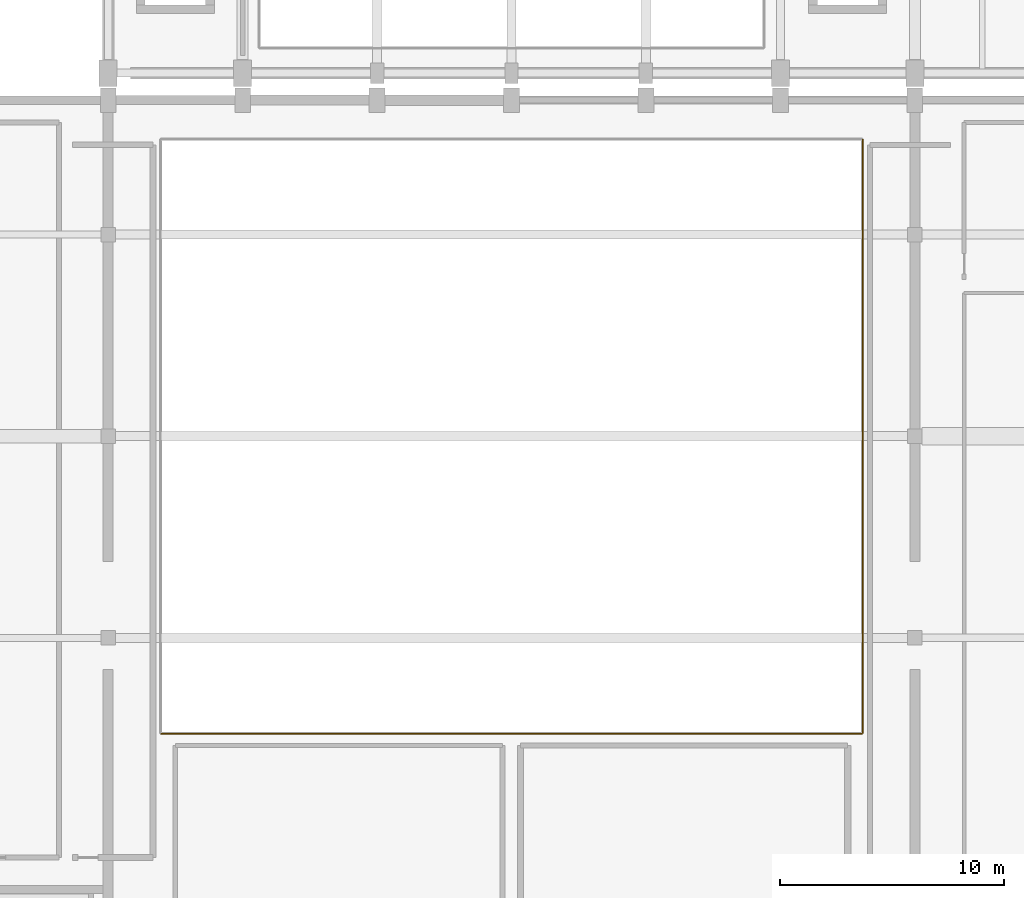
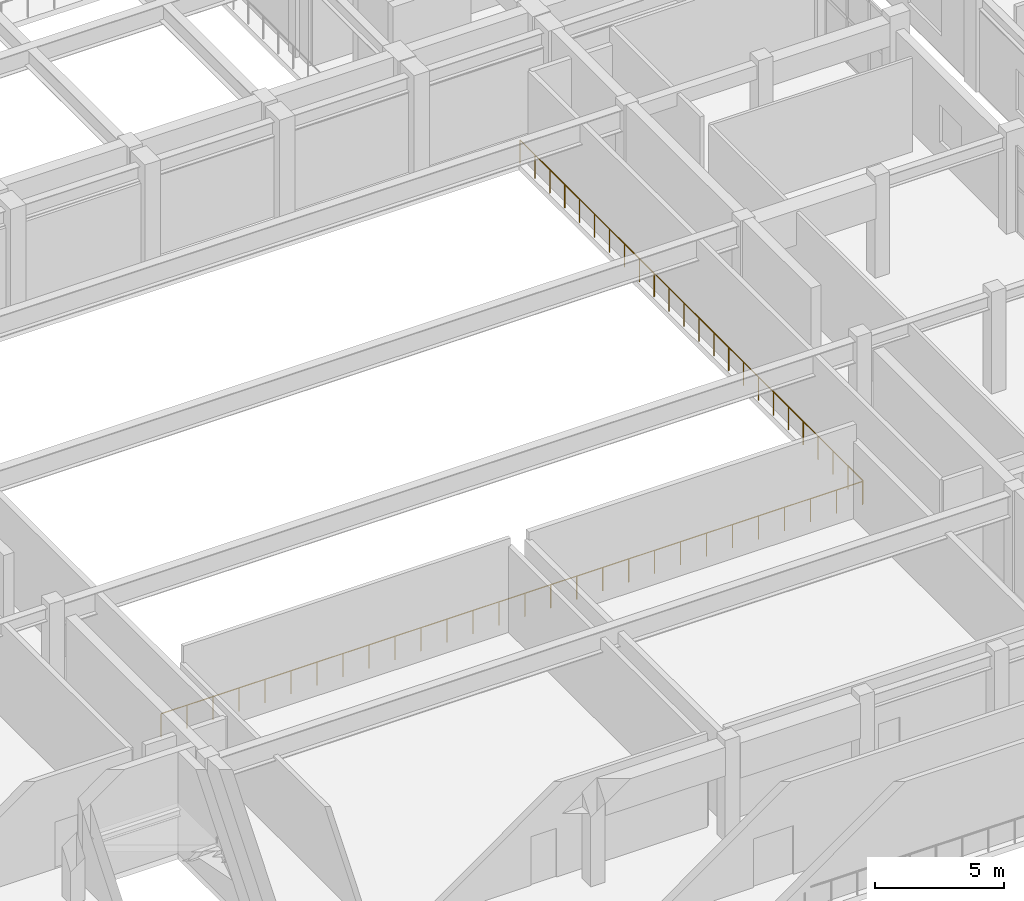
# One storey, part 56 of 62: 2 railings.
"""IFC4 building model written with IfcOpenShell, lengths in metres."""

from ifc_helpers import new_model, si_unit, direction, frame, origin, origin_2d, place, context, subcontext, project, spatial, circle, extrude, material, type_object, element, save


model = new_model("IFC4")

# Units and contexts
model_context = context("Model", 3, precision=1e-05, world=origin(), true_north=direction((0.0, 1.0)))
body_context = subcontext(model_context, "Body", "Model", "MODEL_VIEW")
ifc_project = project(units=[si_unit("LENGTHUNIT", "METRE"), si_unit("AREAUNIT", "SQUARE_METRE"), si_unit("VOLUMEUNIT", "CUBIC_METRE"), si_unit("PLANEANGLEUNIT", "RADIAN"), si_unit("MASSUNIT", "GRAM", prefix="KILO")], contexts=[model_context])

# Site, building, storey
site_placement = place(None, origin())
site = spatial("IfcSite", under=ifc_project, at=site_placement, CompositionType="ELEMENT")
building_placement = place(site_placement, origin())
building = spatial("IfcBuilding", under=site, at=building_placement, Name="Vaelkrest Opera House", CompositionType="ELEMENT")
storey_placement = place(building_placement, frame((0.0, 0.0, 19.800048828125)))
storey = spatial("IfcBuildingStorey", under=building, at=storey_placement, Name="L04", CompositionType="ELEMENT", Elevation=19.800048828125)

# Railings
ifc_material = material(Name="Dark bronze anodized aluminium", Category="aluminium")
railing_type = type_object("IfcRailingType", Name="BL01", PredefinedType="BALUSTRADE", material=ifc_material)
railing_1_placement = place(storey_placement, frame((-15.639892578125, -12.080078125, 0.0)))
element("IfcRailing", 1, at=railing_1_placement, inside=storey, type_object=railing_type, Name="Atrium/stage void guard V1 L04-1 seg 1", PredefinedType="BALUSTRADE", context=body_context, shape_type="SweptSolid", body=[
    extrude(circle(Radius=0.02392578125, at=origin_2d()), frame((0.0, 0.0, 1.09619140625), z_axis=(1.0, 0.0, 0.0), x_axis=(0.0, 1.0, 0.0)), (0.0, 0.0, 1.0), 31.27978515625),
    extrude(circle(Radius=0.02099609375, at=origin_2d()), origin(), (0.0, 0.0, 1.0), 1.072021484375),
    extrude(circle(Radius=0.02099609375, at=origin_2d()), frame((1.158447265625, 0.0, 0.0)), (0.0, 0.0, 1.0), 1.072021484375),
    extrude(circle(Radius=0.02099609375, at=origin_2d()), frame((2.317138671875, 0.0, 0.0)), (0.0, 0.0, 1.0), 1.072021484375),
    extrude(circle(Radius=0.02099609375, at=origin_2d()), frame((3.4755859375, 0.0, 0.0)), (0.0, 0.0, 1.0), 1.072021484375),
    extrude(circle(Radius=0.02099609375, at=origin_2d()), frame((4.634033203125, 0.0, 0.0)), (0.0, 0.0, 1.0), 1.072021484375),
    extrude(circle(Radius=0.02099609375, at=origin_2d()), frame((5.79248046875, 0.0, 0.0)), (0.0, 0.0, 1.0), 1.072021484375),
    extrude(circle(Radius=0.02099609375, at=origin_2d()), frame((6.951171875, 0.0, 0.0)), (0.0, 0.0, 1.0), 1.072021484375),
    extrude(circle(Radius=0.02099609375, at=origin_2d()), frame((8.109619140625, 0.0, 0.0)), (0.0, 0.0, 1.0), 1.072021484375),
    extrude(circle(Radius=0.02099609375, at=origin_2d()), frame((9.26806640625, 0.0, 0.0)), (0.0, 0.0, 1.0), 1.072021484375),
    extrude(circle(Radius=0.02099609375, at=origin_2d()), frame((10.426513671875, 0.0, 0.0)), (0.0, 0.0, 1.0), 1.072021484375),
    extrude(circle(Radius=0.02099609375, at=origin_2d()), frame((11.585205078125, 0.0, 0.0)), (0.0, 0.0, 1.0), 1.072021484375),
    extrude(circle(Radius=0.02099609375, at=origin_2d()), frame((12.74365234375, 0.0, 0.0)), (0.0, 0.0, 1.0), 1.072021484375),
    extrude(circle(Radius=0.02099609375, at=origin_2d()), frame((13.902099609375, 0.0, 0.0)), (0.0, 0.0, 1.0), 1.072021484375),
    extrude(circle(Radius=0.02099609375, at=origin_2d()), frame((15.060546875, 0.0, 0.0)), (0.0, 0.0, 1.0), 1.072021484375),
    extrude(circle(Radius=0.02099609375, at=origin_2d()), frame((16.21923828125, 0.0, 0.0)), (0.0, 0.0, 1.0), 1.072021484375),
    extrude(circle(Radius=0.02099609375, at=origin_2d()), frame((17.377685546875, 0.0, 0.0)), (0.0, 0.0, 1.0), 1.072021484375),
    extrude(circle(Radius=0.02099609375, at=origin_2d()), frame((18.5361328125, 0.0, 0.0)), (0.0, 0.0, 1.0), 1.072021484375),
    extrude(circle(Radius=0.02099609375, at=origin_2d()), frame((19.694580078125, 0.0, 0.0)), (0.0, 0.0, 1.0), 1.072021484375),
    extrude(circle(Radius=0.02099609375, at=origin_2d()), frame((20.853271484375, 0.0, 0.0)), (0.0, 0.0, 1.0), 1.072021484375),
    extrude(circle(Radius=0.02099609375, at=origin_2d()), frame((22.01171875, 0.0, 0.0)), (0.0, 0.0, 1.0), 1.072021484375),
    extrude(circle(Radius=0.02099609375, at=origin_2d()), frame((23.170166015625, 0.0, 0.0)), (0.0, 0.0, 1.0), 1.072021484375),
    extrude(circle(Radius=0.02099609375, at=origin_2d()), frame((24.32861328125, 0.0, 0.0)), (0.0, 0.0, 1.0), 1.072021484375),
    extrude(circle(Radius=0.02099609375, at=origin_2d()), frame((25.4873046875, 0.0, 0.0)), (0.0, 0.0, 1.0), 1.072021484375),
    extrude(circle(Radius=0.02099609375, at=origin_2d()), frame((26.645751953125, 0.0, 0.0)), (0.0, 0.0, 1.0), 1.072021484375),
    extrude(circle(Radius=0.02099609375, at=origin_2d()), frame((27.80419921875, 0.0, 0.0)), (0.0, 0.0, 1.0), 1.072021484375),
    extrude(circle(Radius=0.02099609375, at=origin_2d()), frame((28.962646484375, 0.0, 0.0)), (0.0, 0.0, 1.0), 1.072021484375),
    extrude(circle(Radius=0.02099609375, at=origin_2d()), frame((30.121337890625, 0.0, 0.0)), (0.0, 0.0, 1.0), 1.072021484375),
    extrude(circle(Radius=0.02099609375, at=origin_2d()), frame((31.27978515625, 0.0, 0.0)), (0.0, 0.0, 1.0), 1.072021484375),
])
railing_2_placement = place(storey_placement, frame((15.679931640625, -12.0400390625, 0.0)))
element("IfcRailing", 2, at=railing_2_placement, inside=storey, type_object=railing_type, Name="Atrium/stage void guard V1 L04-1 seg 2", PredefinedType="BALUSTRADE", context=body_context, shape_type="SweptSolid", body=[
    extrude(circle(Radius=0.02392578125, at=origin_2d()), frame((0.0, 0.0, 1.09619140625), z_axis=(0.0, 1.0, 0.0), x_axis=(-1.0, 0.0, 0.0)), (0.0, 0.0, 1.0), 26.47998046875),
    extrude(circle(Radius=0.02099609375, at=origin_2d()), origin(), (0.0, 0.0, 1.0), 1.072021484375),
    extrude(circle(Radius=0.02099609375, at=origin_2d()), frame((0.0, 1.1513671875, 0.0)), (0.0, 0.0, 1.0), 1.072021484375),
    extrude(circle(Radius=0.02099609375, at=origin_2d()), frame((0.0, 2.302490234375, 0.0)), (0.0, 0.0, 1.0), 1.072021484375),
    extrude(circle(Radius=0.02099609375, at=origin_2d()), frame((0.0, 3.453857421875, 0.0)), (0.0, 0.0, 1.0), 1.072021484375),
    extrude(circle(Radius=0.02099609375, at=origin_2d()), frame((0.0, 4.605224609375, 0.0)), (0.0, 0.0, 1.0), 1.072021484375),
    extrude(circle(Radius=0.02099609375, at=origin_2d()), frame((0.0, 5.756591796875, 0.0)), (0.0, 0.0, 1.0), 1.072021484375),
    extrude(circle(Radius=0.02099609375, at=origin_2d()), frame((0.0, 6.90771484375, 0.0)), (0.0, 0.0, 1.0), 1.072021484375),
    extrude(circle(Radius=0.02099609375, at=origin_2d()), frame((0.0, 8.05908203125, 0.0)), (0.0, 0.0, 1.0), 1.072021484375),
    extrude(circle(Radius=0.02099609375, at=origin_2d()), frame((0.0, 9.21044921875, 0.0)), (0.0, 0.0, 1.0), 1.072021484375),
    extrude(circle(Radius=0.02099609375, at=origin_2d()), frame((0.0, 10.36181640625, 0.0)), (0.0, 0.0, 1.0), 1.072021484375),
    extrude(circle(Radius=0.02099609375, at=origin_2d()), frame((0.0, 11.512939453125, 0.0)), (0.0, 0.0, 1.0), 1.072021484375),
    extrude(circle(Radius=0.02099609375, at=origin_2d()), frame((0.0, 12.664306640625, 0.0)), (0.0, 0.0, 1.0), 1.072021484375),
    extrude(circle(Radius=0.02099609375, at=origin_2d()), frame((0.0, 13.815673828125, 0.0)), (0.0, 0.0, 1.0), 1.072021484375),
    extrude(circle(Radius=0.02099609375, at=origin_2d()), frame((0.0, 14.967041015625, 0.0)), (0.0, 0.0, 1.0), 1.072021484375),
    extrude(circle(Radius=0.02099609375, at=origin_2d()), frame((0.0, 16.1181640625, 0.0)), (0.0, 0.0, 1.0), 1.072021484375),
    extrude(circle(Radius=0.02099609375, at=origin_2d()), frame((0.0, 17.26953125, 0.0)), (0.0, 0.0, 1.0), 1.072021484375),
    extrude(circle(Radius=0.02099609375, at=origin_2d()), frame((0.0, 18.4208984375, 0.0)), (0.0, 0.0, 1.0), 1.072021484375),
    extrude(circle(Radius=0.02099609375, at=origin_2d()), frame((0.0, 19.572265625, 0.0)), (0.0, 0.0, 1.0), 1.072021484375),
    extrude(circle(Radius=0.02099609375, at=origin_2d()), frame((0.0, 20.723388671875, 0.0)), (0.0, 0.0, 1.0), 1.072021484375),
    extrude(circle(Radius=0.02099609375, at=origin_2d()), frame((0.0, 21.874755859375, 0.0)), (0.0, 0.0, 1.0), 1.072021484375),
    extrude(circle(Radius=0.02099609375, at=origin_2d()), frame((0.0, 23.026123046875, 0.0)), (0.0, 0.0, 1.0), 1.072021484375),
    extrude(circle(Radius=0.02099609375, at=origin_2d()), frame((0.0, 24.177490234375, 0.0)), (0.0, 0.0, 1.0), 1.072021484375),
    extrude(circle(Radius=0.02099609375, at=origin_2d()), frame((0.0, 25.32861328125, 0.0)), (0.0, 0.0, 1.0), 1.072021484375),
    extrude(circle(Radius=0.02099609375, at=origin_2d()), frame((0.0, 26.47998046875, 0.0)), (0.0, 0.0, 1.0), 1.072021484375),
])

save(model, "model.ifc")
